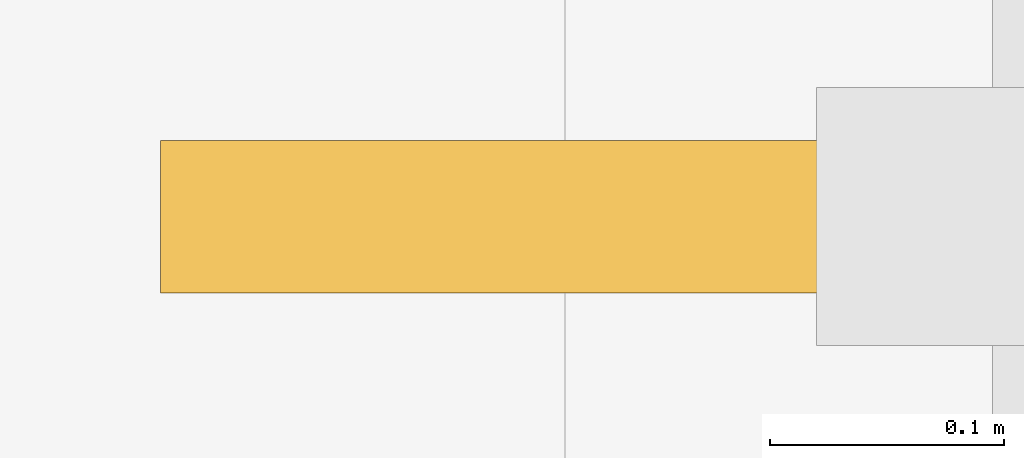
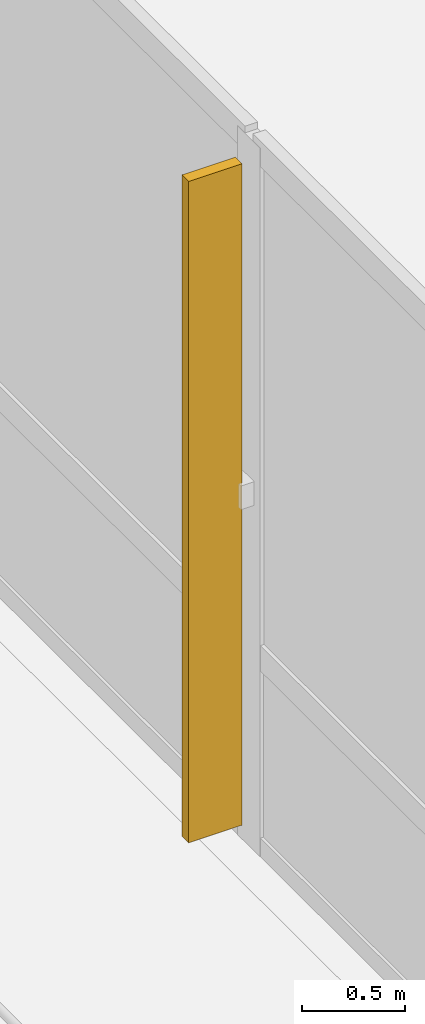
# One storey, part 20 of 21: 1 shading device.
"""IFC4 building model written with IfcOpenShell, lengths in metres."""

import ifcopenshell
import ifcopenshell.guid

model = None  # the IFC model being written
_history = None  # IfcOwnerHistory: only IFC2X3 demands one
_inside = {}  # id of a spatial element -> (the spatial element, [elements in it])
_under = {}  # id of a project, library or spatial element -> (it, [spatial elements below it])
_declared = {}  # id of a project -> (the project, [libraries it declares])
_typed = {}  # id of a type object -> (the type object, [elements of that type])
_made_of = {}  # id of a material, layer set ... -> (it, [elements and type objects made of it])


def new_model(schema):
    """Start an empty IFC model of exactly this schema.

    Asked for "IFC4X3", IfcOpenShell would pick the latest addendum, in which some entities
    have other attributes; the version numbers below select the first issue.
    IFC2X3 requires an IfcOwnerHistory on every rooted entity: one is made here for all.
    """
    global model, _history
    if schema == "IFC4X3":
        model = ifcopenshell.file(schema_version=(4, 3, 0, 0))
    else:
        model = ifcopenshell.file(schema=schema)
    _inside.clear()
    _under.clear()
    _declared.clear()
    _typed.clear()
    _made_of.clear()
    _history = None
    if model.schema == "IFC2X3":
        org = make("IfcOrganization", Name="unknown")
        user = make(
            "IfcPersonAndOrganization",
            ThePerson=make("IfcPerson", FamilyName="unknown"),
            TheOrganization=org,
        )
        app = make(
            "IfcApplication",
            ApplicationDeveloper=org,
            Version="unknown",
            ApplicationFullName="unknown",
            ApplicationIdentifier="unknown",
        )
        _history = make(
            "IfcOwnerHistory",
            OwningUser=user,
            OwningApplication=app,
            ChangeAction="ADDED",
            CreationDate=0,
        )
    return model


def make(cls, **values):
    """One entity of the class cls with the attributes given. An attribute that is None is left unset."""
    return model.create_entity(
        cls, **{name: value for name, value in values.items() if value is not None}
    )


def rooted(cls, **values):
    """An entity with a GlobalId (a new one), such as an element, a storey or a relation."""
    return make(cls, GlobalId=ifcopenshell.guid.new(), OwnerHistory=_history, **values)


def si_unit(unit_type, name, prefix=None):
    """IfcSIUnit, for example si_unit("LENGTHUNIT", "METRE", prefix="MILLI")."""
    return make("IfcSIUnit", UnitType=unit_type, Prefix=prefix, Name=name)


def assignment(units):
    """IfcUnitAssignment: the units of a project."""
    return None if units is None else make("IfcUnitAssignment", Units=units)


def point(xyz):
    """IfcCartesianPoint."""
    return None if xyz is None else make("IfcCartesianPoint", Coordinates=xyz)


def direction(xyz):
    """IfcDirection."""
    return None if xyz is None else make("IfcDirection", DirectionRatios=xyz)


def frame(location, z_axis=None, x_axis=None):
    """IfcAxis2Placement3D, a coordinate frame: its origin and axes. An axis left out is left unset."""
    return make(
        "IfcAxis2Placement3D",
        Location=point(location),
        Axis=direction(z_axis),
        RefDirection=direction(x_axis),
    )


def origin():
    """The frame at (0, 0, 0) with its axes left unset."""
    return frame((0.0, 0.0, 0.0))


def place(relative_to, where):
    """IfcLocalPlacement: puts the frame where relative to a parent placement (None: the world)."""
    return make(
        "IfcLocalPlacement", PlacementRelTo=relative_to, RelativePlacement=where
    )


def context(
    kind, dimensions, precision=None, world=None, true_north=None, identifier=None
):
    """IfcGeometricRepresentationContext, for example the 3D "Model" context."""
    return make(
        "IfcGeometricRepresentationContext",
        ContextIdentifier=identifier,
        ContextType=kind,
        CoordinateSpaceDimension=dimensions,
        Precision=precision,
        WorldCoordinateSystem=world,
        TrueNorth=true_north,
    )


def subcontext(parent, identifier, kind, view, scale=None):
    """IfcGeometricRepresentationSubContext, for example "Body" below "Model"."""
    return make(
        "IfcGeometricRepresentationSubContext",
        ContextIdentifier=identifier,
        ContextType=kind,
        ParentContext=parent,
        TargetScale=scale,
        TargetView=view,
    )


def project(units=None, contexts=None):
    """IfcProject with its units and contexts."""
    return rooted(
        "IfcProject",
        Name="project",
        RepresentationContexts=contexts,
        UnitsInContext=assignment(units),
    )


def spatial(cls, under=None, at=None, **own):
    """A site, building, storey or space (cls), placed at a placement, below another one or the project."""
    s = rooted(cls, ObjectPlacement=at, **own)
    if under is not None:
        _under.setdefault(under.id(), (under, []))[1].append(s)
    return s


def polyline(points):
    """IfcPolyline through the points."""
    return make("IfcPolyline", Points=[point(p) for p in points])


def outline(outer, holes=None, kind="AREA"):
    """IfcArbitraryClosedProfileDef: a profile drawn as a closed curve; with holes, ...WithVoids."""
    if holes is None:
        return make("IfcArbitraryClosedProfileDef", ProfileType=kind, OuterCurve=outer)
    return make(
        "IfcArbitraryProfileDefWithVoids",
        ProfileType=kind,
        OuterCurve=outer,
        InnerCurves=holes,
    )


def extrude(swept, where, along, depth):
    """IfcExtrudedAreaSolid: the profile swept, set in the frame where, extruded along a direction by depth."""
    return make(
        "IfcExtrudedAreaSolid",
        SweptArea=swept,
        Position=where,
        ExtrudedDirection=direction(along),
        Depth=depth,
    )


def shape(context_of_items, identifier, shape_type, items):
    """IfcShapeRepresentation: the items that make up one representation, for example the "Body"."""
    return make(
        "IfcShapeRepresentation",
        ContextOfItems=context_of_items,
        RepresentationIdentifier=identifier,
        RepresentationType=shape_type,
        Items=items,
    )


def material(Name=None, Category=None):
    """IfcMaterial."""
    return make("IfcMaterial", Name=Name, Category=Category)


def layer(
    of_material, thickness, ventilated=None, Name=None, Category=None, Priority=None
):
    """IfcMaterialLayer: one layer of a wall or slab, of a material (None: an air gap)."""
    return make(
        "IfcMaterialLayer",
        Material=of_material,
        LayerThickness=thickness,
        IsVentilated=ventilated,
        Name=Name,
        Category=Category,
        Priority=Priority,
    )


def layer_set(layers, Name=None):
    """IfcMaterialLayerSet."""
    return make("IfcMaterialLayerSet", MaterialLayers=layers, LayerSetName=Name)


def made_of(thing, what):
    """Note that an element or type object is made of a material, layer set ...; save() writes the relation."""
    if what is not None:
        _made_of.setdefault(what.id(), (what, []))[1].append(thing)
    return thing


def type_object(cls, material=None, **own):
    """A type object (cls), such as IfcWallType, which elements share."""
    return made_of(rooted(cls, **own), material)


def element(
    cls,
    number,
    at=None,
    inside=None,
    cuts=None,
    type_object=None,
    material=None,
    context=None,
    identifier="Body",
    shape_type=None,
    held_by="IfcProductDefinitionShape",
    body=None,
    shapes=None,
    **own,
):
    """One element of the class cls, such as IfcWall. Its Tag is "e" and its number.

    at: its placement. inside: the storey or other place that contains it. cuts: it is an
    opening in that element (IfcRelVoidsElement). A single representation is given by context,
    identifier, shape_type and body (its items); several are given by shapes. held_by: the class
    of the entity that holds the representations. save() writes the other relations.
    """
    e = rooted(cls, Tag="e%d" % number, ObjectPlacement=at, **own)
    if body is not None:
        shapes = [shape(context, identifier, shape_type, body)]
    if shapes is not None:
        e.Representation = make(held_by, Representations=shapes)
    if inside is not None:
        _inside.setdefault(inside.id(), (inside, []))[1].append(e)
    if cuts is not None:
        rooted(
            "IfcRelVoidsElement", RelatingBuildingElement=cuts, RelatedOpeningElement=e
        )
    if type_object is not None:
        _typed.setdefault(type_object.id(), (type_object, []))[1].append(e)
    return made_of(e, material)


def aggregate(whole, parts):
    """IfcRelAggregates: a whole, such as a stair, and the parts it consists of."""
    return rooted("IfcRelAggregates", RelatingObject=whole, RelatedObjects=parts)


def save(model, path):
    """Write the relations noted so far, then the file.

    IfcRelAggregates (storeys below a building ...), IfcRelContainedInSpatialStructure (elements
    in a storey), IfcRelDefinesByType, IfcRelAssociatesMaterial and IfcRelDeclares: one each for
    every whole, place, type object, material and project.
    """
    for whole, parts in _under.values():
        aggregate(whole, parts)
    for where, things in _inside.values():
        rooted(
            "IfcRelContainedInSpatialStructure",
            RelatedElements=things,
            RelatingStructure=where,
        )
    for kind, things in _typed.values():
        rooted("IfcRelDefinesByType", RelatedObjects=things, RelatingType=kind)
    for what, things in _made_of.values():
        rooted("IfcRelAssociatesMaterial", RelatedObjects=things, RelatingMaterial=what)
    for by, libraries in _declared.values():
        rooted("IfcRelDeclares", RelatingContext=by, RelatedDefinitions=libraries)
    model.write(path)


model = new_model("IFC4")

# Units and contexts
model_context = context("Model", 3, precision=1e-05, world=origin(), true_north=direction((0.0, 1.0)))
body_context = subcontext(model_context, "Body", "Model", "MODEL_VIEW")
ifc_project = project(units=[si_unit("LENGTHUNIT", "METRE"), si_unit("AREAUNIT", "SQUARE_METRE"), si_unit("VOLUMEUNIT", "CUBIC_METRE"), si_unit("PLANEANGLEUNIT", "RADIAN"), si_unit("MASSUNIT", "GRAM", prefix="KILO")], contexts=[model_context])

# Site, building, storey
site_placement = place(None, origin())
site = spatial("IfcSite", under=ifc_project, at=site_placement, CompositionType="ELEMENT")
building_placement = place(site_placement, origin())
building = spatial("IfcBuilding", under=site, at=building_placement, Name="Qalmaran Belvedere Hotel", CompositionType="ELEMENT")
storey_placement = place(building_placement, frame((0.0, 0.0, 23.800048828125)))
storey = spatial("IfcBuildingStorey", under=building, at=storey_placement, Name="L05", CompositionType="ELEMENT", Elevation=23.800048828125)

# Shading device
ifc_material = material(Name="Anodised Bronze Aluminium", Category="aluminium")
ifc_layer = layer(ifc_material, 0.06494140625, Name="Anodised Bronze Aluminium")
ifc_layer_set = layer_set([ifc_layer], Name="Anodised Bronze Aluminium")
shading_device_type = type_object("IfcShadingDeviceType", Name="FIN-BRNZ-300", PredefinedType="USERDEFINED", material=ifc_layer_set)
shading_device_placement = place(storey_placement, frame((0.0, 0.0, 0.159912109375)))
element("IfcShadingDevice", 1, at=shading_device_placement, inside=storey, type_object=shading_device_type, Name="L05 Bronze Fin 1", ObjectType="FIN", PredefinedType="USERDEFINED", context=body_context, shape_type="SweptSolid", body=[
    extrude(outline(polyline([(8.62744140625, 39.660400390625), (8.327392578125, 39.660400390625), (8.327392578125, 39.595458984375), (8.62744140625, 39.595458984375), (8.62744140625, 39.660400390625)])), origin(), (0.0, 0.0, 1.0), 3.919921875),
])

save(model, "model.ifc")
